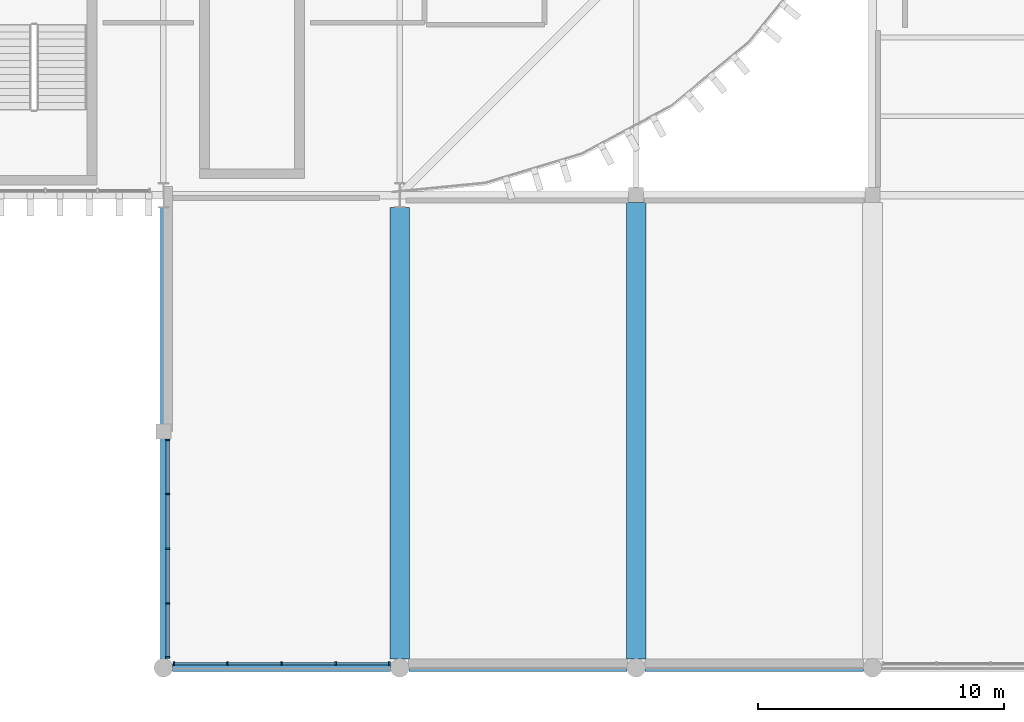
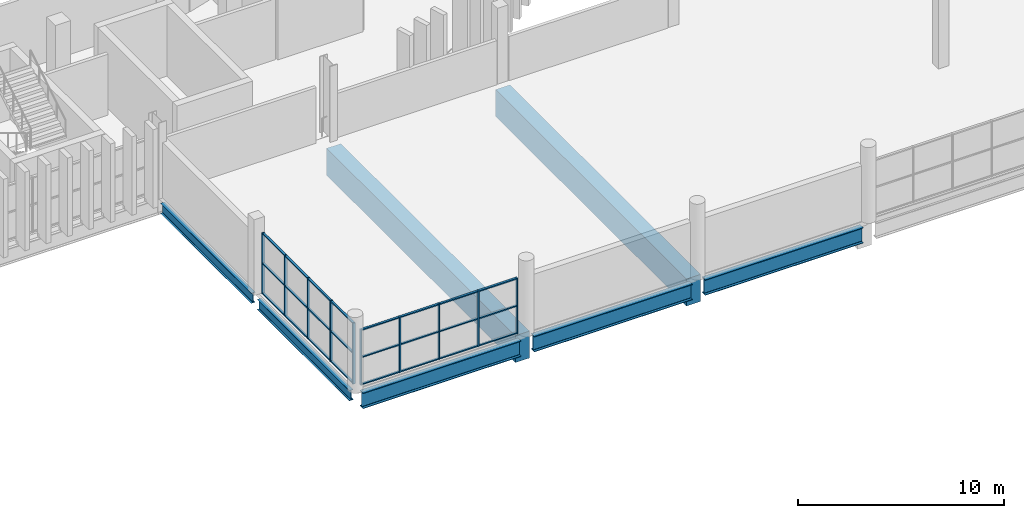
# One storey, part 24 of 92: 34 members, 7 beams, 2 elements without a shape of their own.
"""IFC4 building model written with IfcOpenShell, lengths in metres."""

from ifc_helpers import new_model, si_unit, direction, frame, origin, origin_2d, place, context, subcontext, project, spatial, rectangle, i_section, extrude, material, layer, layer_set, material_profile, profile_set, type_object, element, aggregate, save


model = new_model("IFC4")

# Units and contexts
model_context = context("Model", 3, precision=1e-05, world=origin(), true_north=direction((0.0, 1.0)))
body_context = subcontext(model_context, "Body", "Model", "MODEL_VIEW")
ifc_project = project(units=[si_unit("LENGTHUNIT", "METRE"), si_unit("AREAUNIT", "SQUARE_METRE"), si_unit("VOLUMEUNIT", "CUBIC_METRE"), si_unit("PLANEANGLEUNIT", "RADIAN"), si_unit("MASSUNIT", "GRAM", prefix="KILO")], contexts=[model_context])

# Site, building, storey
site_placement = place(None, origin())
site = spatial("IfcSite", under=ifc_project, at=site_placement, CompositionType="ELEMENT")
building_placement = place(site_placement, origin())
building = spatial("IfcBuilding", under=site, at=building_placement, Name="Caelomonte Colonnade Arena", CompositionType="ELEMENT")
storey_placement = place(building_placement, frame((0.0, 0.0, 9.60009765625)))
storey = spatial("IfcBuildingStorey", under=building, at=storey_placement, Name="L02", CompositionType="ELEMENT", Elevation=9.60009765625)

# Curtain wall, members
ifc_material_1 = material(Name="Bronze anodised aluminium and low-E glazing", Category="aluminium")
ifc_layer_1 = layer(ifc_material_1, 0.179931640625)
ifc_layer_set_1 = layer_set([ifc_layer_1], Name="Bronze anodised aluminium and low-E glazing")
curtain_wall_type_1 = type_object("IfcCurtainWallType", Name="ENV-CW-CW-L02-92-36", PredefinedType="USERDEFINED", material=ifc_layer_set_1)
curtain_wall_1_placement = place(storey_placement, origin())
curtain_wall_1 = element("IfcCurtainWall", 1, at=curtain_wall_1_placement, inside=storey, type_object=curtain_wall_type_1, Name="L02 unitized curtain wall CW-L02-1346-0050", ObjectType="UNITIZED CURTAIN WALL", PredefinedType="USERDEFINED")
ifc_material_2 = material(Name="Bronze anodised aluminium AA6063-T6", Category="aluminium")
ifc_material_profile_1 = material_profile(ifc_material_2, rectangle(XDim=0.06494140625, YDim=0.14990234375, at=origin_2d()), Name="CWM-65X150")
ifc_profile_set_1 = profile_set([ifc_material_profile_1], Name="Bronze anodised aluminium AA6063-T6")
member_type_1 = type_object("IfcMemberType", Name="ENV-CW-MULL2", PredefinedType="MULLION", material=ifc_profile_set_1)
member_1_placement = place(storey_placement, frame((134.580078125, 9.24755859375, 0.0), z_axis=(0.0, 0.0, 1.0), x_axis=(0.0, -1.0, 0.0)))
member_1 = element("IfcMember", 2, at=member_1_placement, type_object=member_type_1, Name="CW-L02-92-36 mullion 1", PredefinedType="MULLION", context=body_context, shape_type="SweptSolid", body=[
    extrude(rectangle(XDim=0.06494140625, YDim=0.14990234375, at=origin_2d()), origin(), (0.0, 0.0, 1.0), 3.61279296875),
])
member_2_placement = place(storey_placement, frame((134.580078125, 7.058837890625, 0.0), z_axis=(0.0, 0.0, 1.0), x_axis=(0.0, -1.0, 0.0)))
member_2 = element("IfcMember", 3, at=member_2_placement, type_object=member_type_1, Name="CW-L02-92-36 mullion 2", PredefinedType="MULLION", context=body_context, shape_type="SweptSolid", body=[
    extrude(rectangle(XDim=0.06494140625, YDim=0.14990234375, at=origin_2d()), origin(), (0.0, 0.0, 1.0), 3.61279296875),
])
member_3_placement = place(storey_placement, frame((134.580078125, 4.83740234375, 0.0), z_axis=(0.0, 0.0, 1.0), x_axis=(0.0, -1.0, 0.0)))
member_3 = element("IfcMember", 4, at=member_3_placement, type_object=member_type_1, Name="CW-L02-92-36 mullion 3", PredefinedType="MULLION", context=body_context, shape_type="SweptSolid", body=[
    extrude(rectangle(XDim=0.06494140625, YDim=0.14990234375, at=origin_2d()), origin(), (0.0, 0.0, 1.0), 3.61279296875),
])
member_4_placement = place(storey_placement, frame((134.580078125, 2.6162109375, 0.0), z_axis=(0.0, 0.0, 1.0), x_axis=(0.0, -1.0, 0.0)))
member_4 = element("IfcMember", 5, at=member_4_placement, type_object=member_type_1, Name="CW-L02-92-36 mullion 4", PredefinedType="MULLION", context=body_context, shape_type="SweptSolid", body=[
    extrude(rectangle(XDim=0.06494140625, YDim=0.14990234375, at=origin_2d()), origin(), (0.0, 0.0, 1.0), 3.61279296875),
])
member_5_placement = place(storey_placement, frame((134.580078125, 0.427490234375, 0.0), z_axis=(0.0, 0.0, 1.0), x_axis=(0.0, -1.0, 0.0)))
member_5 = element("IfcMember", 6, at=member_5_placement, type_object=member_type_1, Name="CW-L02-92-36 mullion 5", PredefinedType="MULLION", context=body_context, shape_type="SweptSolid", body=[
    extrude(rectangle(XDim=0.06494140625, YDim=0.14990234375, at=origin_2d()), origin(), (0.0, 0.0, 1.0), 3.61279296875),
])

ifc_layer_2 = layer(ifc_material_1, 0.179931640625)
ifc_layer_set_2 = layer_set([ifc_layer_2], Name="Bronze anodised aluminium and low-E glazing")
curtain_wall_type_2 = type_object("IfcCurtainWallType", Name="ENV-CW-CW-L02-89-33", PredefinedType="USERDEFINED", material=ifc_layer_set_2)
curtain_wall_2_placement = place(storey_placement, origin())
curtain_wall_2 = element("IfcCurtainWall", 7, at=curtain_wall_2_placement, inside=storey, type_object=curtain_wall_type_2, Name="L02 unitized curtain wall CW-L02-1392-0002", ObjectType="UNITIZED CURTAIN WALL", PredefinedType="USERDEFINED")
member_6_placement = place(storey_placement, frame((134.827392578125, 0.179931640625, 0.0), z_axis=(0.0, 0.0, 1.0), x_axis=(1.0, 0.0, 0.0)))
member_6 = element("IfcMember", 8, at=member_6_placement, type_object=member_type_1, Name="CW-L02-89-33 mullion 1", PredefinedType="MULLION", context=body_context, shape_type="SweptSolid", body=[
    extrude(rectangle(XDim=0.06494140625, YDim=0.14990234375, at=origin_2d()), origin(), (0.0, 0.0, 1.0), 3.29296875),
])
member_7_placement = place(storey_placement, frame((136.99755859375, 0.179931640625, 0.0), z_axis=(0.0, 0.0, 1.0), x_axis=(1.0, 0.0, 0.0)))
member_7 = element("IfcMember", 9, at=member_7_placement, type_object=member_type_1, Name="CW-L02-89-33 mullion 2", PredefinedType="MULLION", context=body_context, shape_type="SweptSolid", body=[
    extrude(rectangle(XDim=0.06494140625, YDim=0.14990234375, at=origin_2d()), origin(), (0.0, 0.0, 1.0), 3.29296875),
])
member_8_placement = place(storey_placement, frame((139.199951171875, 0.179931640625, 0.0), z_axis=(0.0, 0.0, 1.0), x_axis=(1.0, 0.0, 0.0)))
member_8 = element("IfcMember", 10, at=member_8_placement, type_object=member_type_1, Name="CW-L02-89-33 mullion 3", PredefinedType="MULLION", context=body_context, shape_type="SweptSolid", body=[
    extrude(rectangle(XDim=0.06494140625, YDim=0.14990234375, at=origin_2d()), origin(), (0.0, 0.0, 1.0), 3.29296875),
])
member_9_placement = place(storey_placement, frame((141.402587890625, 0.179931640625, 0.0), z_axis=(0.0, 0.0, 1.0), x_axis=(1.0, 0.0, 0.0)))
member_9 = element("IfcMember", 11, at=member_9_placement, type_object=member_type_1, Name="CW-L02-89-33 mullion 4", PredefinedType="MULLION", context=body_context, shape_type="SweptSolid", body=[
    extrude(rectangle(XDim=0.06494140625, YDim=0.14990234375, at=origin_2d()), origin(), (0.0, 0.0, 1.0), 3.29296875),
])
member_10_placement = place(storey_placement, frame((143.572509765625, 0.179931640625, 0.0), z_axis=(0.0, 0.0, 1.0), x_axis=(1.0, 0.0, 0.0)))
member_10 = element("IfcMember", 12, at=member_10_placement, type_object=member_type_1, Name="CW-L02-89-33 mullion 5", PredefinedType="MULLION", context=body_context, shape_type="SweptSolid", body=[
    extrude(rectangle(XDim=0.06494140625, YDim=0.14990234375, at=origin_2d()), origin(), (0.0, 0.0, 1.0), 3.29296875),
])

# Member
ifc_material_profile_2 = material_profile(ifc_material_2, rectangle(XDim=0.06494140625, YDim=0.1201171875, at=origin_2d()), Name="CWT-65X120")
ifc_profile_set_2 = profile_set([ifc_material_profile_2], Name="Bronze anodised aluminium AA6063-T6")
member_type_2 = type_object("IfcMemberType", Name="ENV-CW-TRAN2", PredefinedType="USERDEFINED", material=ifc_profile_set_2)
member_11_placement = place(storey_placement, frame((134.580078125, 9.215087890625, 0.032470703125), z_axis=(0.0, -1.0, 0.0), x_axis=(0.0, 0.0, 1.0)))
member_11 = element("IfcMember", 13, at=member_11_placement, type_object=member_type_2, Name="CW-L02-92-36 transom 1.1", ObjectType="TRANSOM", PredefinedType="USERDEFINED", context=body_context, shape_type="SweptSolid", body=[
    extrude(rectangle(XDim=0.06494140625, YDim=0.1201171875, at=origin_2d()), origin(), (0.0, 0.0, 1.0), 2.123779296875),
])

member_12_placement = place(storey_placement, frame((134.580078125, 9.215087890625, 1.806396484375), z_axis=(0.0, -1.0, 0.0), x_axis=(0.0, 0.0, 1.0)))
member_12 = element("IfcMember", 14, at=member_12_placement, type_object=member_type_2, Name="CW-L02-92-36 transom 1.2", ObjectType="TRANSOM", PredefinedType="USERDEFINED", context=body_context, shape_type="SweptSolid", body=[
    extrude(rectangle(XDim=0.06494140625, YDim=0.1201171875, at=origin_2d()), origin(), (0.0, 0.0, 1.0), 2.123779296875),
])

member_13_placement = place(storey_placement, frame((134.580078125, 9.215087890625, 3.580322265625), z_axis=(0.0, -1.0, 0.0), x_axis=(0.0, 0.0, 1.0)))
member_13 = element("IfcMember", 15, at=member_13_placement, type_object=member_type_2, Name="CW-L02-92-36 transom 1.3", ObjectType="TRANSOM", PredefinedType="USERDEFINED", context=body_context, shape_type="SweptSolid", body=[
    extrude(rectangle(XDim=0.06494140625, YDim=0.1201171875, at=origin_2d()), origin(), (0.0, 0.0, 1.0), 2.123779296875),
])

member_14_placement = place(storey_placement, frame((134.580078125, 7.0263671875, 0.032470703125), z_axis=(0.0, -1.0, 0.0), x_axis=(0.0, 0.0, 1.0)))
member_14 = element("IfcMember", 16, at=member_14_placement, type_object=member_type_2, Name="CW-L02-92-36 transom 2.1", ObjectType="TRANSOM", PredefinedType="USERDEFINED", context=body_context, shape_type="SweptSolid", body=[
    extrude(rectangle(XDim=0.06494140625, YDim=0.1201171875, at=origin_2d()), origin(), (0.0, 0.0, 1.0), 2.15625),
])

member_15_placement = place(storey_placement, frame((134.580078125, 7.0263671875, 1.806396484375), z_axis=(0.0, -1.0, 0.0), x_axis=(0.0, 0.0, 1.0)))
member_15 = element("IfcMember", 17, at=member_15_placement, type_object=member_type_2, Name="CW-L02-92-36 transom 2.2", ObjectType="TRANSOM", PredefinedType="USERDEFINED", context=body_context, shape_type="SweptSolid", body=[
    extrude(rectangle(XDim=0.06494140625, YDim=0.1201171875, at=origin_2d()), origin(), (0.0, 0.0, 1.0), 2.15625),
])

member_16_placement = place(storey_placement, frame((134.580078125, 7.0263671875, 3.580322265625), z_axis=(0.0, -1.0, 0.0), x_axis=(0.0, 0.0, 1.0)))
member_16 = element("IfcMember", 18, at=member_16_placement, type_object=member_type_2, Name="CW-L02-92-36 transom 2.3", ObjectType="TRANSOM", PredefinedType="USERDEFINED", context=body_context, shape_type="SweptSolid", body=[
    extrude(rectangle(XDim=0.06494140625, YDim=0.1201171875, at=origin_2d()), origin(), (0.0, 0.0, 1.0), 2.15625),
])

member_17_placement = place(storey_placement, frame((134.580078125, 4.804931640625, 0.032470703125), z_axis=(0.0, -1.0, 0.0), x_axis=(0.0, 0.0, 1.0)))
member_17 = element("IfcMember", 19, at=member_17_placement, type_object=member_type_2, Name="CW-L02-92-36 transom 3.1", ObjectType="TRANSOM", PredefinedType="USERDEFINED", context=body_context, shape_type="SweptSolid", body=[
    extrude(rectangle(XDim=0.06494140625, YDim=0.1201171875, at=origin_2d()), origin(), (0.0, 0.0, 1.0), 2.15625),
])

member_18_placement = place(storey_placement, frame((134.580078125, 4.804931640625, 1.806396484375), z_axis=(0.0, -1.0, 0.0), x_axis=(0.0, 0.0, 1.0)))
member_18 = element("IfcMember", 20, at=member_18_placement, type_object=member_type_2, Name="CW-L02-92-36 transom 3.2", ObjectType="TRANSOM", PredefinedType="USERDEFINED", context=body_context, shape_type="SweptSolid", body=[
    extrude(rectangle(XDim=0.06494140625, YDim=0.1201171875, at=origin_2d()), origin(), (0.0, 0.0, 1.0), 2.15625),
])

member_19_placement = place(storey_placement, frame((134.580078125, 4.804931640625, 3.580322265625), z_axis=(0.0, -1.0, 0.0), x_axis=(0.0, 0.0, 1.0)))
member_19 = element("IfcMember", 21, at=member_19_placement, type_object=member_type_2, Name="CW-L02-92-36 transom 3.3", ObjectType="TRANSOM", PredefinedType="USERDEFINED", context=body_context, shape_type="SweptSolid", body=[
    extrude(rectangle(XDim=0.06494140625, YDim=0.1201171875, at=origin_2d()), origin(), (0.0, 0.0, 1.0), 2.15625),
])

member_20_placement = place(storey_placement, frame((134.580078125, 2.583740234375, 0.032470703125), z_axis=(0.0, -1.0, 0.0), x_axis=(0.0, 0.0, 1.0)))
member_20 = element("IfcMember", 22, at=member_20_placement, type_object=member_type_2, Name="CW-L02-92-36 transom 4.1", ObjectType="TRANSOM", PredefinedType="USERDEFINED", context=body_context, shape_type="SweptSolid", body=[
    extrude(rectangle(XDim=0.06494140625, YDim=0.1201171875, at=origin_2d()), origin(), (0.0, 0.0, 1.0), 2.123779296875),
])

member_21_placement = place(storey_placement, frame((134.580078125, 2.583740234375, 1.806396484375), z_axis=(0.0, -1.0, 0.0), x_axis=(0.0, 0.0, 1.0)))
member_21 = element("IfcMember", 23, at=member_21_placement, type_object=member_type_2, Name="CW-L02-92-36 transom 4.2", ObjectType="TRANSOM", PredefinedType="USERDEFINED", context=body_context, shape_type="SweptSolid", body=[
    extrude(rectangle(XDim=0.06494140625, YDim=0.1201171875, at=origin_2d()), origin(), (0.0, 0.0, 1.0), 2.123779296875),
])

member_22_placement = place(storey_placement, frame((134.580078125, 2.583740234375, 3.580322265625), z_axis=(0.0, -1.0, 0.0), x_axis=(0.0, 0.0, 1.0)))
member_22 = element("IfcMember", 24, at=member_22_placement, type_object=member_type_2, Name="CW-L02-92-36 transom 4.3", ObjectType="TRANSOM", PredefinedType="USERDEFINED", context=body_context, shape_type="SweptSolid", body=[
    extrude(rectangle(XDim=0.06494140625, YDim=0.1201171875, at=origin_2d()), origin(), (0.0, 0.0, 1.0), 2.123779296875),
])

aggregate(curtain_wall_1, [member_1, member_2, member_3, member_4, member_5, member_11, member_12, member_13, member_14, member_15, member_16, member_17, member_18, member_19, member_20, member_21, member_22])

member_23_placement = place(storey_placement, frame((134.860107421875, 0.179931640625, 0.032470703125), z_axis=(1.0, 0.0, 0.0), x_axis=(0.0, 0.0, 1.0)))
member_23 = element("IfcMember", 25, at=member_23_placement, type_object=member_type_2, Name="CW-L02-89-33 transom 1.1", ObjectType="TRANSOM", PredefinedType="USERDEFINED", context=body_context, shape_type="SweptSolid", body=[
    extrude(rectangle(XDim=0.06494140625, YDim=0.1201171875, at=origin_2d()), origin(), (0.0, 0.0, 1.0), 2.10498046875),
])

member_24_placement = place(storey_placement, frame((134.860107421875, 0.179931640625, 1.646484375), z_axis=(1.0, 0.0, 0.0), x_axis=(0.0, 0.0, 1.0)))
member_24 = element("IfcMember", 26, at=member_24_placement, type_object=member_type_2, Name="CW-L02-89-33 transom 1.2", ObjectType="TRANSOM", PredefinedType="USERDEFINED", context=body_context, shape_type="SweptSolid", body=[
    extrude(rectangle(XDim=0.06494140625, YDim=0.1201171875, at=origin_2d()), origin(), (0.0, 0.0, 1.0), 2.10498046875),
])

member_25_placement = place(storey_placement, frame((134.860107421875, 0.179931640625, 3.260498046875), z_axis=(1.0, 0.0, 0.0), x_axis=(0.0, 0.0, 1.0)))
member_25 = element("IfcMember", 27, at=member_25_placement, type_object=member_type_2, Name="CW-L02-89-33 transom 1.3", ObjectType="TRANSOM", PredefinedType="USERDEFINED", context=body_context, shape_type="SweptSolid", body=[
    extrude(rectangle(XDim=0.06494140625, YDim=0.1201171875, at=origin_2d()), origin(), (0.0, 0.0, 1.0), 2.10498046875),
])

member_26_placement = place(storey_placement, frame((137.030029296875, 0.179931640625, 0.032470703125), z_axis=(1.0, 0.0, 0.0), x_axis=(0.0, 0.0, 1.0)))
member_26 = element("IfcMember", 28, at=member_26_placement, type_object=member_type_2, Name="CW-L02-89-33 transom 2.1", ObjectType="TRANSOM", PredefinedType="USERDEFINED", context=body_context, shape_type="SweptSolid", body=[
    extrude(rectangle(XDim=0.06494140625, YDim=0.1201171875, at=origin_2d()), origin(), (0.0, 0.0, 1.0), 2.137451171875),
])

member_27_placement = place(storey_placement, frame((137.030029296875, 0.179931640625, 1.646484375), z_axis=(1.0, 0.0, 0.0), x_axis=(0.0, 0.0, 1.0)))
member_27 = element("IfcMember", 29, at=member_27_placement, type_object=member_type_2, Name="CW-L02-89-33 transom 2.2", ObjectType="TRANSOM", PredefinedType="USERDEFINED", context=body_context, shape_type="SweptSolid", body=[
    extrude(rectangle(XDim=0.06494140625, YDim=0.1201171875, at=origin_2d()), origin(), (0.0, 0.0, 1.0), 2.137451171875),
])

member_28_placement = place(storey_placement, frame((137.030029296875, 0.179931640625, 3.260498046875), z_axis=(1.0, 0.0, 0.0), x_axis=(0.0, 0.0, 1.0)))
member_28 = element("IfcMember", 30, at=member_28_placement, type_object=member_type_2, Name="CW-L02-89-33 transom 2.3", ObjectType="TRANSOM", PredefinedType="USERDEFINED", context=body_context, shape_type="SweptSolid", body=[
    extrude(rectangle(XDim=0.06494140625, YDim=0.1201171875, at=origin_2d()), origin(), (0.0, 0.0, 1.0), 2.137451171875),
])

member_29_placement = place(storey_placement, frame((139.232421875, 0.179931640625, 0.032470703125), z_axis=(1.0, 0.0, 0.0), x_axis=(0.0, 0.0, 1.0)))
member_29 = element("IfcMember", 31, at=member_29_placement, type_object=member_type_2, Name="CW-L02-89-33 transom 3.1", ObjectType="TRANSOM", PredefinedType="USERDEFINED", context=body_context, shape_type="SweptSolid", body=[
    extrude(rectangle(XDim=0.06494140625, YDim=0.1201171875, at=origin_2d()), origin(), (0.0, 0.0, 1.0), 2.1376953125),
])

member_30_placement = place(storey_placement, frame((139.232421875, 0.179931640625, 1.646484375), z_axis=(1.0, 0.0, 0.0), x_axis=(0.0, 0.0, 1.0)))
member_30 = element("IfcMember", 32, at=member_30_placement, type_object=member_type_2, Name="CW-L02-89-33 transom 3.2", ObjectType="TRANSOM", PredefinedType="USERDEFINED", context=body_context, shape_type="SweptSolid", body=[
    extrude(rectangle(XDim=0.06494140625, YDim=0.1201171875, at=origin_2d()), origin(), (0.0, 0.0, 1.0), 2.1376953125),
])

member_31_placement = place(storey_placement, frame((139.232421875, 0.179931640625, 3.260498046875), z_axis=(1.0, 0.0, 0.0), x_axis=(0.0, 0.0, 1.0)))
member_31 = element("IfcMember", 33, at=member_31_placement, type_object=member_type_2, Name="CW-L02-89-33 transom 3.3", ObjectType="TRANSOM", PredefinedType="USERDEFINED", context=body_context, shape_type="SweptSolid", body=[
    extrude(rectangle(XDim=0.06494140625, YDim=0.1201171875, at=origin_2d()), origin(), (0.0, 0.0, 1.0), 2.1376953125),
])

member_32_placement = place(storey_placement, frame((141.43505859375, 0.179931640625, 0.032470703125), z_axis=(1.0, 0.0, 0.0), x_axis=(0.0, 0.0, 1.0)))
member_32 = element("IfcMember", 34, at=member_32_placement, type_object=member_type_2, Name="CW-L02-89-33 transom 4.1", ObjectType="TRANSOM", PredefinedType="USERDEFINED", context=body_context, shape_type="SweptSolid", body=[
    extrude(rectangle(XDim=0.06494140625, YDim=0.1201171875, at=origin_2d()), origin(), (0.0, 0.0, 1.0), 2.10498046875),
])

member_33_placement = place(storey_placement, frame((141.43505859375, 0.179931640625, 1.646484375), z_axis=(1.0, 0.0, 0.0), x_axis=(0.0, 0.0, 1.0)))
member_33 = element("IfcMember", 35, at=member_33_placement, type_object=member_type_2, Name="CW-L02-89-33 transom 4.2", ObjectType="TRANSOM", PredefinedType="USERDEFINED", context=body_context, shape_type="SweptSolid", body=[
    extrude(rectangle(XDim=0.06494140625, YDim=0.1201171875, at=origin_2d()), origin(), (0.0, 0.0, 1.0), 2.10498046875),
])

member_34_placement = place(storey_placement, frame((141.43505859375, 0.179931640625, 3.260498046875), z_axis=(1.0, 0.0, 0.0), x_axis=(0.0, 0.0, 1.0)))
member_34 = element("IfcMember", 36, at=member_34_placement, type_object=member_type_2, Name="CW-L02-89-33 transom 4.3", ObjectType="TRANSOM", PredefinedType="USERDEFINED", context=body_context, shape_type="SweptSolid", body=[
    extrude(rectangle(XDim=0.06494140625, YDim=0.1201171875, at=origin_2d()), origin(), (0.0, 0.0, 1.0), 2.10498046875),
])

aggregate(curtain_wall_2, [member_6, member_7, member_8, member_9, member_10, member_23, member_24, member_25, member_26, member_27, member_28, member_29, member_30, member_31, member_32, member_33, member_34])

# Beams
ifc_material_3 = material(Name="Wide-flange steel ASTM A992 Grade 50", Category="steel")
ifc_material_profile_3 = material_profile(ifc_material_3, i_section(OverallWidth=0.307861328125, OverallDepth=0.927001953125, WebThickness=0.019287109375, FlangeThickness=0.031982421875, FilletRadius=0.020263671875, at=origin_2d()), Name="W36X194")
ifc_profile_set_3 = profile_set([ifc_material_profile_3], Name="Wide-flange steel ASTM A992 Grade 50")
beam_type_1 = type_object("IfcBeamType", Name="STR-BM-EAVES2", PredefinedType="SPANDREL", material=ifc_profile_set_3)
for number, where, z_axis, x_axis, name in (
    (37, (134.76708984375, 0.0, -0.74365234375), (1.0, 0.0, 0.0), (0.0, 1.0, 0.0), "L02 girder BMX-L02-1344-0000"),
    (38, (144.366943359375, 0.0, -0.74365234375), (1.0, 0.0, 0.0), (0.0, 1.0, 0.0), "L02 girder BMX-L02-1440-0000"),
    (39, (153.967041015625, 0.0, -0.74365234375), (1.0, 0.0, 0.0), (0.0, 1.0, 0.0), "L02 girder BMX-L02-1536-0000"),
):
    element("IfcBeam", number, at=place(storey_placement, frame(where, z_axis=z_axis, x_axis=x_axis)), inside=storey, type_object=beam_type_1, Name=name, PredefinedType="SPANDREL", context=body_context, shape_type="SweptSolid", body=[
        extrude(i_section(OverallWidth=0.307861328125, OverallDepth=0.927001953125, WebThickness=0.019287109375, FlangeThickness=0.031982421875, FilletRadius=0.020263671875, at=origin_2d()), origin(), (0.0, 0.0, 1.0), 8.865966796875),
    ])
ifc_material_profile_4 = material_profile(ifc_material_3, i_section(OverallWidth=0.228271484375, OverallDepth=0.607177734375, WebThickness=0.01123046875, FlangeThickness=0.017333984375, FilletRadius=0.0126953125, at=origin_2d()), Name="W24X76")
ifc_profile_set_4 = profile_set([ifc_material_profile_4], Name="Wide-flange steel ASTM A992 Grade 50")
beam_type_2 = type_object("IfcBeamType", Name="STR-BM-GIRD24", PredefinedType="BEAM", material=ifc_profile_set_4)
beam_1_placement = place(storey_placement, frame((134.39990234375, 0.366943359375, -0.58349609375), z_axis=(0.0, 1.0, 0.0), x_axis=(-1.0, 0.0, 0.0)))
element("IfcBeam", 40, at=beam_1_placement, inside=storey, type_object=beam_type_2, Name="L02 girder BMY-L02-1344-0000", PredefinedType="BEAM", context=body_context, shape_type="SweptSolid", body=[
    extrude(i_section(OverallWidth=0.228271484375, OverallDepth=0.607177734375, WebThickness=0.01123046875, FlangeThickness=0.017333984375, FilletRadius=0.0126953125, at=origin_2d()), origin(), (0.0, 0.0, 1.0), 8.941162109375),
])
beam_2_placement = place(storey_placement, frame((134.39990234375, 9.89208984375, -0.58349609375), z_axis=(0.0, 1.0, 0.0), x_axis=(-1.0, 0.0, 0.0)))
element("IfcBeam", 41, at=beam_2_placement, inside=storey, type_object=beam_type_2, Name="L02 girder BMY-L02-1344-0096", PredefinedType="BEAM", context=body_context, shape_type="SweptSolid", body=[
    extrude(i_section(OverallWidth=0.228271484375, OverallDepth=0.607177734375, WebThickness=0.01123046875, FlangeThickness=0.017333984375, FilletRadius=0.0126953125, at=origin_2d()), origin(), (0.0, 0.0, 1.0), 8.810302734375),
])
ifc_material_4 = material(Name="Concrete C50/60", Category="concrete")
ifc_material_profile_5 = material_profile(ifc_material_4, rectangle(XDim=0.800048828125, YDim=1.60009765625, at=origin_2d()), Name="RC800X1600")
ifc_profile_set_5 = profile_set([ifc_material_profile_5], Name="Concrete C50/60")
beam_type_3 = type_object("IfcBeamType", Name="STR-BM-TG16", PredefinedType="USERDEFINED", material=ifc_profile_set_5)
beam_3_placement = place(storey_placement, frame((144.0, 0.366943359375, -1.080078125), z_axis=(0.0, 1.0, 0.0), x_axis=(-1.0, 0.0, 0.0)))
element("IfcBeam", 42, at=beam_3_placement, inside=storey, type_object=beam_type_3, Name="L02 Transfer Girder BMY-L02-1440-0000", ObjectType="TRANSFER GIRDER", PredefinedType="USERDEFINED", context=body_context, shape_type="SweptSolid", body=[
    extrude(rectangle(XDim=0.800048828125, YDim=1.60009765625, at=origin_2d()), origin(), (0.0, 0.0, 1.0), 18.33544921875),
])
beam_4_placement = place(storey_placement, frame((153.60009765625, 0.366943359375, -1.080078125), z_axis=(0.0, 1.0, 0.0), x_axis=(-1.0, 0.0, 0.0)))
element("IfcBeam", 43, at=beam_4_placement, inside=storey, type_object=beam_type_3, Name="L02 Transfer Girder BMY-L02-1536-0000", ObjectType="TRANSFER GIRDER", PredefinedType="USERDEFINED", context=body_context, shape_type="SweptSolid", body=[
    extrude(rectangle(XDim=0.800048828125, YDim=1.60009765625, at=origin_2d()), origin(), (0.0, 0.0, 1.0), 18.541015625),
])

save(model, "model.ifc")
